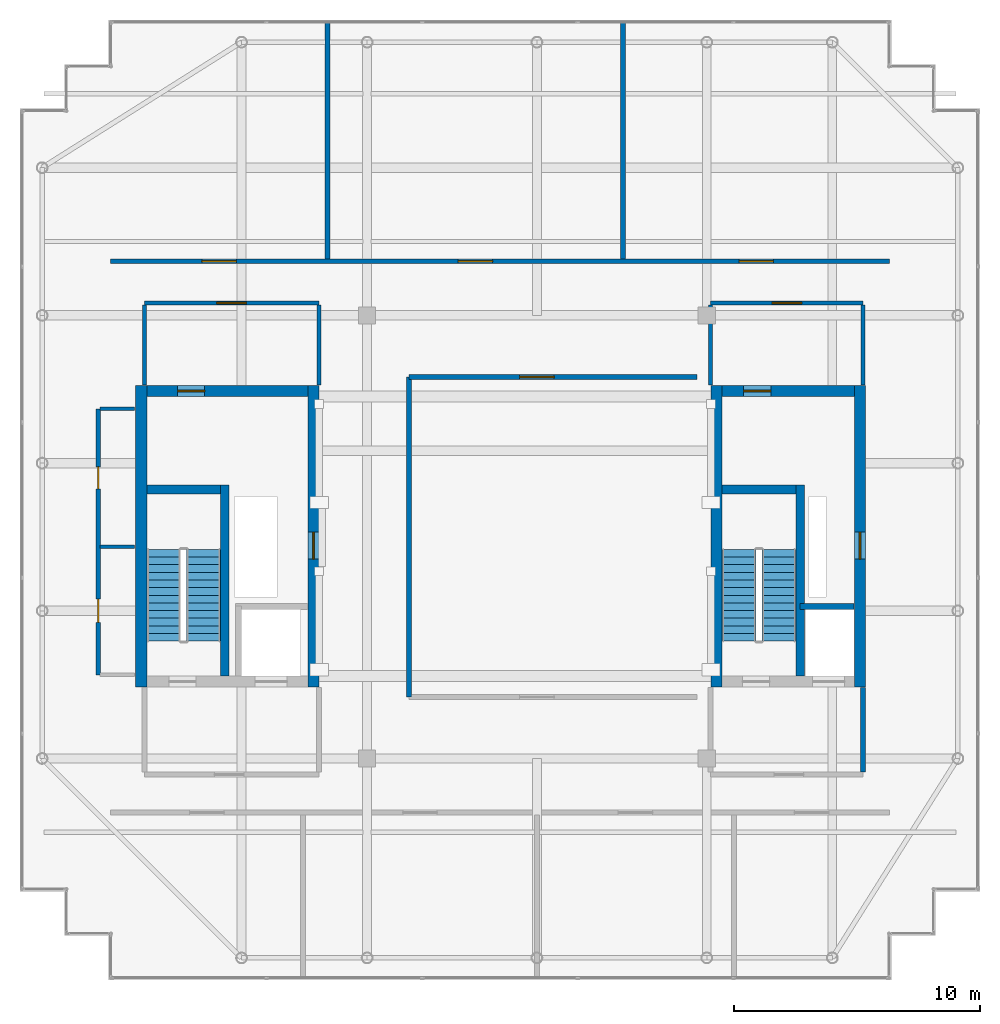
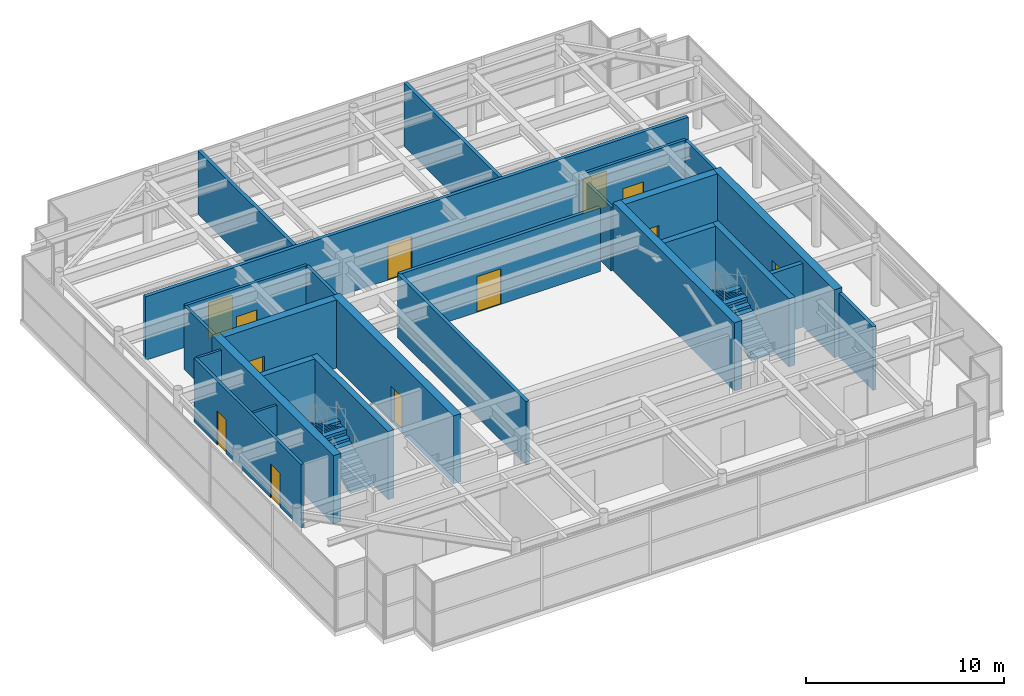
# One storey, part 31 of 32: 26 walls, 12 doors, 4 stair flights, 12 openings, 2 elements without a shape of their own.
"""IFC4 building model written with IfcOpenShell, lengths in metres."""

from ifc_helpers import new_model, si_unit, direction, frame, frame_2d, origin, place, context, subcontext, project, spatial, polyline, rectangle, outline, extrude, source, transform, mapped, material, layer, layer_set, type_object, element, fill, aggregate, save


model = new_model("IFC4")

# Units and contexts
model_context = context("Model", 3, precision=1e-05, world=origin(), true_north=direction((0.0, 1.0)))
body_context = subcontext(model_context, "Body", "Model", "MODEL_VIEW")
ifc_project = project(units=[si_unit("LENGTHUNIT", "METRE"), si_unit("AREAUNIT", "SQUARE_METRE"), si_unit("VOLUMEUNIT", "CUBIC_METRE"), si_unit("PLANEANGLEUNIT", "RADIAN"), si_unit("MASSUNIT", "GRAM", prefix="KILO")], contexts=[model_context])

# Site, building, storey
site_placement = place(None, origin())
site = spatial("IfcSite", under=ifc_project, at=site_placement, CompositionType="ELEMENT")
building_placement = place(site_placement, origin())
building = spatial("IfcBuilding", under=site, at=building_placement, Name="Khoralis Quay Care Tower", CompositionType="ELEMENT")
storey_placement = place(building_placement, frame((0.0, 0.0, 310.5)))
storey = spatial("IfcBuildingStorey", under=building, at=storey_placement, Name="L81", CompositionType="ELEMENT", Elevation=310.5)

# Wall
ifc_material_1 = material(Name="Gypsum plasterboard on acoustic metal stud")
ifc_layer_1 = layer(ifc_material_1, 0.199951171875)
ifc_layer_set_1 = layer_set([ifc_layer_1], Name="Gypsum plasterboard on acoustic metal stud")
wall_type_1 = type_object("IfcWallType", Name="WL-COMP-200", PredefinedType="PARTITIONING", material=ifc_layer_set_1)
wall_1_placement = place(storey_placement, frame((37.25, 11.445068359375, 0.0), z_axis=(0.0, 0.0, 1.0), x_axis=(0.0, 1.0, 0.0)))
element("IfcWall", 1, at=wall_1_placement, inside=storey, type_object=wall_type_1, Name="L81 East Firefighting Lobby East Wall", PredefinedType="PARTITIONING", context=body_context, shape_type="SweptSolid", body=[
    extrude(rectangle(XDim=3.434814453125, YDim=0.199951171875, at=frame_2d((1.71728515625, 0.0))), origin(), (0.0, 0.0, 1.0), 3.919921875),
])

# Wall, openings, doors
wall_2_placement = place(storey_placement, frame((6.679931640625, 32.199951171875, 0.0), z_axis=(0.0, 0.0, 1.0), x_axis=(1.0, 0.0, 0.0)))
wall_2 = element("IfcWall", 2, at=wall_2_placement, inside=storey, type_object=wall_type_1, Name="L81 Plant Corridor North Wall", PredefinedType="PARTITIONING", context=body_context, shape_type="SweptSolid", body=[
    extrude(rectangle(XDim=31.64013671875, YDim=0.199951171875, at=frame_2d((15.820068359375, 0.0))), origin(), (0.0, 0.0, 1.0), 3.919921875),
])
opening_1_placement = place(wall_2_placement, frame((3.7099609375, 0.0, 0.0)))
opening_1 = element("IfcOpeningElement", 3, at=opening_1_placement, cuts=wall_2, Name="Opening PD1", PredefinedType="OPENING", context=body_context, shape_type="SweptSolid", body=[
    extrude(rectangle(XDim=1.39990234375, YDim=2.199951171875, at=frame_2d((0.699951171875, 1.10009765625))), frame((0.0, 0.10986328125, 0.0), z_axis=(0.0, -1.0, 0.0), x_axis=(1.0, 0.0, 0.0)), (0.0, 0.0, 1.0), 0.219970703125),
])
opening_2_placement = place(wall_2_placement, frame((14.1201171875, 0.0, 0.0)))
opening_2 = element("IfcOpeningElement", 4, at=opening_2_placement, cuts=wall_2, Name="Opening PD1", PredefinedType="OPENING", context=body_context, shape_type="SweptSolid", body=[
    extrude(rectangle(XDim=1.39990234375, YDim=2.199951171875, at=frame_2d((0.699951171875, 1.10009765625))), frame((0.0, 0.10986328125, 0.0), z_axis=(0.0, -1.0, 0.0), x_axis=(1.0, 0.0, 0.0)), (0.0, 0.0, 1.0), 0.219970703125),
])
opening_3_placement = place(wall_2_placement, frame((25.530029296875, 0.0, 0.0)))
opening_3 = element("IfcOpeningElement", 5, at=opening_3_placement, cuts=wall_2, Name="Opening PD1", PredefinedType="OPENING", context=body_context, shape_type="SweptSolid", body=[
    extrude(rectangle(XDim=1.39990234375, YDim=2.199951171875, at=frame_2d((0.699951171875, 1.10009765625))), frame((0.0, 0.10986328125, 0.0), z_axis=(0.0, -1.0, 0.0), x_axis=(1.0, 0.0, 0.0)), (0.0, 0.0, 1.0), 0.219970703125),
])
ifc_material_2 = material(Name="Fire-rated painted steel", Category="steel")
door_type_1 = type_object("IfcDoorType", Name="DR-PLANT-1400X2200", OperationType="NOTDEFINED", PredefinedType="DOOR", material=ifc_material_2)
shared_shape_1 = source(origin(), body_context, "Body", "SweptSolid", [
    extrude(rectangle(XDim=1.39990234375, YDim=2.199951171875, at=frame_2d((0.699951171875, 1.10009765625))), frame((0.0, 0.02490234375, 0.0), z_axis=(0.0, -1.0, 0.0), x_axis=(1.0, 0.0, 0.0)), (0.0, 0.0, 1.0), 0.050048828125),
])
door_1_placement = place(opening_1_placement, origin())
door_1 = element("IfcDoor", 6, at=door_1_placement, inside=storey, type_object=door_type_1, Name="L81 Primary Air Handling Hall Plant Door", OperationType="DOUBLE_DOOR_SINGLE_SWING", OverallHeight=2.199951171875, OverallWidth=1.39990234375, PredefinedType="DOOR", context=body_context, shape_type="MappedRepresentation", body=[
    mapped(shared_shape_1, transform((0.0, 0.0, 0.0), scale=1.0)),
])
fill(opening_1, door_1)
door_2_placement = place(opening_2_placement, origin())
door_2 = element("IfcDoor", 7, at=door_2_placement, inside=storey, type_object=door_type_1, Name="L81 High-Voltage Transformer Room Plant Door", OperationType="DOUBLE_DOOR_SINGLE_SWING", OverallHeight=2.199951171875, OverallWidth=1.39990234375, PredefinedType="DOOR", context=body_context, shape_type="MappedRepresentation", body=[
    mapped(shared_shape_1, transform((0.0, 0.0, 0.0), scale=1.0)),
])
fill(opening_2, door_2)
door_3_placement = place(opening_3_placement, origin())
door_3 = element("IfcDoor", 8, at=door_3_placement, inside=storey, type_object=door_type_1, Name="L81 Solar Inverter Plant Plant Door", OperationType="DOUBLE_DOOR_SINGLE_SWING", OverallHeight=2.199951171875, OverallWidth=1.39990234375, PredefinedType="DOOR", context=body_context, shape_type="MappedRepresentation", body=[
    mapped(shared_shape_1, transform((0.0, 0.0, 0.0), scale=1.0)),
])
fill(opening_3, door_3)

# Wall, opening, door
wall_3_placement = place(storey_placement, frame((18.800048828125, 27.5, 0.0), z_axis=(0.0, 0.0, 1.0), x_axis=(1.0, 0.0, 0.0)))
wall_3 = element("IfcWall", 9, at=wall_3_placement, inside=storey, type_object=wall_type_1, Name="L81 Central Plant North Wall", PredefinedType="PARTITIONING", context=body_context, shape_type="SweptSolid", body=[
    extrude(rectangle(XDim=11.699951171875, YDim=0.199951171875, at=frame_2d((5.85009765625, 0.0))), origin(), (0.0, 0.0, 1.0), 3.919921875),
])
opening_4_placement = place(wall_3_placement, frame((4.5, 0.0, 0.0)))
opening_4 = element("IfcOpeningElement", 10, at=opening_4_placement, cuts=wall_3, Name="Opening PD1", PredefinedType="OPENING", context=body_context, shape_type="SweptSolid", body=[
    extrude(rectangle(XDim=1.39990234375, YDim=2.199951171875, at=frame_2d((0.699951171875, 1.10009765625))), frame((0.0, 0.10986328125, 0.0), z_axis=(0.0, -1.0, 0.0), x_axis=(1.0, 0.0, 0.0)), (0.0, 0.0, 1.0), 0.219970703125),
])
door_4_placement = place(opening_4_placement, frame((1.39990234375, 0.0, 0.0), z_axis=(0.0, 0.0, 1.0), x_axis=(-1.0, 0.0, 0.0)))
door_4 = element("IfcDoor", 11, at=door_4_placement, inside=storey, type_object=door_type_1, Name="L81 Central Plant North Door", OperationType="DOUBLE_DOOR_SINGLE_SWING", OverallHeight=2.199951171875, OverallWidth=1.39990234375, PredefinedType="DOOR", context=body_context, shape_type="MappedRepresentation", body=[
    mapped(shared_shape_1, transform((0.0, 0.0, 0.0), scale=1.0)),
])
fill(opening_4, door_4)

# Walls
for number, where, z_axis, x_axis, name in (
    (12, (15.5, 32.294921875, 0.0), (0.0, 0.0, 1.0), (0.0, 1.0, 0.0), "L81 North Plant Divider 1"),
    (13, (27.5, 32.294921875, 0.0), (0.0, 0.0, 1.0), (0.0, 1.0, 0.0), "L81 North Plant Divider 2"),
):
    element("IfcWall", number, at=place(storey_placement, frame(where, z_axis=z_axis, x_axis=x_axis)), inside=storey, type_object=wall_type_1, Name=name, PredefinedType="PARTITIONING", context=body_context, shape_type="SweptSolid", body=[
        extrude(rectangle(XDim=9.6201171875, YDim=0.199951171875, at=frame_2d((4.81005859375, 0.0))), origin(), (0.0, 0.0, 1.0), 3.919921875),
    ])
wall_4_placement = place(storey_placement, frame((18.800048828125, 14.5, 0.0), z_axis=(0.0, 0.0, 1.0), x_axis=(0.0, 1.0, 0.0)))
element("IfcWall", 14, at=wall_4_placement, inside=storey, type_object=wall_type_1, Name="L81 Central Plant West Corridor Wall", PredefinedType="PARTITIONING", context=body_context, shape_type="SweptSolid", body=[
    extrude(rectangle(XDim=13.0, YDim=0.199951171875, at=frame_2d((6.5, 0.0))), origin(), (0.0, 0.0, 1.0), 3.919921875),
])
ifc_material_3 = material(Name="Concrete C50/60", Category="concrete")
ifc_layer_2 = layer(ifc_material_3, 0.449951171875)
ifc_layer_set_2 = layer_set([ifc_layer_2], Name="Concrete C50/60")
wall_type_2 = type_object("IfcWallType", Name="WL-CORE-450", PredefinedType="SHEAR", material=ifc_layer_set_2)
wall_5_placement = place(storey_placement, frame((7.925048828125, 14.89990234375, 0.0), z_axis=(0.0, 0.0, 1.0), x_axis=(0.0, 1.0, 0.0)))
element("IfcWall", 15, at=wall_5_placement, inside=storey, type_object=wall_type_2, Name="L81 WCORE West Shear Wall", PredefinedType="SHEAR", context=body_context, shape_type="SweptSolid", body=[
    extrude(rectangle(XDim=12.25, YDim=0.449951171875, at=frame_2d((6.125, 0.0))), origin(), (0.0, 0.0, 1.0), 4.199951171875),
])

# Wall, opening, door
wall_6_placement = place(storey_placement, frame((14.925048828125, 14.89990234375, 0.0), z_axis=(0.0, 0.0, 1.0), x_axis=(0.0, 1.0, 0.0)))
wall_6 = element("IfcWall", 16, at=wall_6_placement, inside=storey, type_object=wall_type_2, Name="L81 WCORE East Shear Wall", PredefinedType="SHEAR", context=body_context, shape_type="SweptSolid", body=[
    extrude(rectangle(XDim=12.25, YDim=0.449951171875, at=frame_2d((6.125, 0.0))), origin(), (0.0, 0.0, 1.0), 4.199951171875),
])
opening_5_placement = place(wall_6_placement, frame((5.199951171875, 0.0, 0.0)))
opening_5 = element("IfcOpeningElement", 17, at=opening_5_placement, cuts=wall_6, Name="Opening SD1", PredefinedType="OPENING", context=body_context, shape_type="SweptSolid", body=[
    extrude(rectangle(XDim=1.10009765625, YDim=2.199951171875, at=frame_2d((0.550048828125, 1.10009765625))), frame((0.0, 0.23486328125, 0.0), z_axis=(0.0, -1.0, 0.0), x_axis=(1.0, 0.0, 0.0)), (0.0, 0.0, 1.0), 0.469970703125),
])
door_type_2 = type_object("IfcDoorType", Name="DR-STAIR-1100X2200", OperationType="NOTDEFINED", PredefinedType="DOOR", material=ifc_material_2)
shared_shape_2 = source(origin(), body_context, "Body", "SweptSolid", [
    extrude(rectangle(XDim=1.10009765625, YDim=2.199951171875, at=frame_2d((0.550048828125, 1.10009765625))), frame((0.0, 0.02490234375, 0.0), z_axis=(0.0, -1.0, 0.0), x_axis=(1.0, 0.0, 0.0)), (0.0, 0.0, 1.0), 0.050048828125),
])
door_5_placement = place(opening_5_placement, origin())
door_5 = element("IfcDoor", 18, at=door_5_placement, inside=storey, type_object=door_type_2, Name="L81 West MEP Riser Door", OperationType="SINGLE_SWING_LEFT", OverallHeight=2.199951171875, OverallWidth=1.10009765625, PredefinedType="DOOR", context=body_context, shape_type="MappedRepresentation", body=[
    mapped(shared_shape_2, transform((0.0, 0.0, 0.0), scale=1.0)),
])
fill(opening_5, door_5)

wall_7_placement = place(storey_placement, frame((8.14990234375, 26.925048828125, 0.0), z_axis=(0.0, 0.0, 1.0), x_axis=(1.0, 0.0, 0.0)))
wall_7 = element("IfcWall", 19, at=wall_7_placement, inside=storey, type_object=wall_type_2, Name="L81 WCORE North Shear Wall", PredefinedType="SHEAR", context=body_context, shape_type="SweptSolid", body=[
    extrude(rectangle(XDim=6.550048828125, YDim=0.449951171875, at=frame_2d((3.27490234375, 0.0))), origin(), (0.0, 0.0, 1.0), 4.199951171875),
])
opening_6_placement = place(wall_7_placement, frame((1.25, 0.0, 0.0)))
opening_6 = element("IfcOpeningElement", 20, at=opening_6_placement, cuts=wall_7, Name="Opening SD1", PredefinedType="OPENING", context=body_context, shape_type="SweptSolid", body=[
    extrude(rectangle(XDim=1.10009765625, YDim=2.199951171875, at=frame_2d((0.550048828125, 1.10009765625))), frame((0.0, 0.23486328125, 0.0), z_axis=(0.0, -1.0, 0.0), x_axis=(1.0, 0.0, 0.0)), (0.0, 0.0, 1.0), 0.469970703125),
])
door_6_placement = place(opening_6_placement, frame((1.10009765625, 0.0, 0.0), z_axis=(0.0, 0.0, 1.0), x_axis=(-1.0, 0.0, 0.0)))
door_6 = element("IfcDoor", 21, at=door_6_placement, inside=storey, type_object=door_type_2, Name="L81 West Machine Room Door", OperationType="SINGLE_SWING_LEFT", OverallHeight=2.199951171875, OverallWidth=1.10009765625, PredefinedType="DOOR", context=body_context, shape_type="MappedRepresentation", body=[
    mapped(shared_shape_2, transform((0.0, 0.0, 0.0), scale=1.0)),
])
fill(opening_6, door_6)

# Wall
wall_8_placement = place(storey_placement, frame((31.294921875, 14.89990234375, 0.0), z_axis=(0.0, 0.0, 1.0), x_axis=(0.0, 1.0, 0.0)))
element("IfcWall", 22, at=wall_8_placement, inside=storey, type_object=wall_type_2, Name="L81 ECORE West Shear Wall", PredefinedType="SHEAR", context=body_context, shape_type="SweptSolid", body=[
    extrude(rectangle(XDim=12.25, YDim=0.449951171875, at=frame_2d((6.125, 0.0))), origin(), (0.0, 0.0, 1.0), 4.199951171875),
])

# Wall, opening, door
wall_9_placement = place(storey_placement, frame((37.125, 14.89990234375, 0.0), z_axis=(0.0, 0.0, 1.0), x_axis=(0.0, 1.0, 0.0)))
wall_9 = element("IfcWall", 23, at=wall_9_placement, inside=storey, type_object=wall_type_2, Name="L81 ECORE East Shear Wall", PredefinedType="SHEAR", context=body_context, shape_type="SweptSolid", body=[
    extrude(rectangle(XDim=12.25, YDim=0.449951171875, at=frame_2d((6.125, 0.0))), origin(), (0.0, 0.0, 1.0), 4.199951171875),
])
opening_7_placement = place(wall_9_placement, frame((5.199951171875, 0.0, 0.0)))
opening_7 = element("IfcOpeningElement", 24, at=opening_7_placement, cuts=wall_9, Name="Opening SD1", PredefinedType="OPENING", context=body_context, shape_type="SweptSolid", body=[
    extrude(rectangle(XDim=1.10009765625, YDim=2.199951171875, at=frame_2d((0.550048828125, 1.10009765625))), frame((0.0, 0.23486328125, 0.0), z_axis=(0.0, -1.0, 0.0), x_axis=(1.0, 0.0, 0.0)), (0.0, 0.0, 1.0), 0.469970703125),
])
door_7_placement = place(opening_7_placement, frame((1.10009765625, 0.0, 0.0), z_axis=(0.0, 0.0, 1.0), x_axis=(-1.0, 0.0, 0.0)))
door_7 = element("IfcDoor", 25, at=door_7_placement, inside=storey, type_object=door_type_2, Name="L81 East MEP Riser Door", OperationType="SINGLE_SWING_RIGHT", OverallHeight=2.199951171875, OverallWidth=1.10009765625, PredefinedType="DOOR", context=body_context, shape_type="MappedRepresentation", body=[
    mapped(shared_shape_2, transform((0.0, 0.0, 0.0), scale=1.0)),
])
fill(opening_7, door_7)

wall_10_placement = place(storey_placement, frame((31.52001953125, 26.925048828125, 0.0), z_axis=(0.0, 0.0, 1.0), x_axis=(1.0, 0.0, 0.0)))
wall_10 = element("IfcWall", 26, at=wall_10_placement, inside=storey, type_object=wall_type_2, Name="L81 ECORE North Shear Wall", PredefinedType="SHEAR", context=body_context, shape_type="SweptSolid", body=[
    extrude(rectangle(XDim=5.3798828125, YDim=0.449951171875, at=frame_2d((2.68994140625, 0.0))), origin(), (0.0, 0.0, 1.0), 4.199951171875),
])
opening_8_placement = place(wall_10_placement, frame((0.8798828125, 0.0, 0.0)))
opening_8 = element("IfcOpeningElement", 27, at=opening_8_placement, cuts=wall_10, Name="Opening SD1", PredefinedType="OPENING", context=body_context, shape_type="SweptSolid", body=[
    extrude(rectangle(XDim=1.10009765625, YDim=2.199951171875, at=frame_2d((0.550048828125, 1.10009765625))), frame((0.0, 0.23486328125, 0.0), z_axis=(0.0, -1.0, 0.0), x_axis=(1.0, 0.0, 0.0)), (0.0, 0.0, 1.0), 0.469970703125),
])
door_8_placement = place(opening_8_placement, frame((1.10009765625, 0.0, 0.0), z_axis=(0.0, 0.0, 1.0), x_axis=(-1.0, 0.0, 0.0)))
door_8 = element("IfcDoor", 28, at=door_8_placement, inside=storey, type_object=door_type_2, Name="L81 East Machine Room Door", OperationType="SINGLE_SWING_RIGHT", OverallHeight=2.199951171875, OverallWidth=1.10009765625, PredefinedType="DOOR", context=body_context, shape_type="MappedRepresentation", body=[
    mapped(shared_shape_2, transform((0.0, 0.0, 0.0), scale=1.0)),
])
fill(opening_8, door_8)

ifc_layer_3 = layer(ifc_material_1, 0.1650390625)
ifc_layer_set_3 = layer_set([ifc_layer_3], Name="Gypsum plasterboard on acoustic metal stud")
wall_type_3 = type_object("IfcWallType", Name="WL-CORR-165", PredefinedType="PARTITIONING", material=ifc_layer_set_3)
wall_11_placement = place(storey_placement, frame((8.050048828125, 30.5, 0.0), z_axis=(0.0, 0.0, 1.0), x_axis=(1.0, 0.0, 0.0)))
wall_11 = element("IfcWall", 29, at=wall_11_placement, inside=storey, type_object=wall_type_3, Name="L81 West Lift Lobby North Wall", PredefinedType="PARTITIONING", context=body_context, shape_type="SweptSolid", body=[
    extrude(rectangle(XDim=7.099853515625, YDim=0.1650390625, at=frame_2d((3.5498046875, 0.0))), origin(), (0.0, 0.0, 1.0), 3.919921875),
])
opening_9_placement = place(wall_11_placement, frame((2.949951171875, 0.0, 0.0)))
opening_9 = element("IfcOpeningElement", 30, at=opening_9_placement, cuts=wall_11, Name="Opening FD1", PredefinedType="OPENING", context=body_context, shape_type="SweptSolid", body=[
    extrude(rectangle(XDim=1.199951171875, YDim=2.199951171875, at=frame_2d((0.60009765625, 1.10009765625))), frame((0.0, 0.092529296875, 0.0), z_axis=(0.0, -1.0, 0.0), x_axis=(1.0, 0.0, 0.0)), (0.0, 0.0, 1.0), 0.18505859375),
])
door_type_3 = type_object("IfcDoorType", Name="DR-FFL-1200X2200", OperationType="NOTDEFINED", PredefinedType="DOOR", material=ifc_material_2)
shared_shape_3 = source(origin(), body_context, "Body", "SweptSolid", [
    extrude(rectangle(XDim=1.199951171875, YDim=2.199951171875, at=frame_2d((0.60009765625, 1.10009765625))), frame((0.0, 0.02490234375, 0.0), z_axis=(0.0, -1.0, 0.0), x_axis=(1.0, 0.0, 0.0)), (0.0, 0.0, 1.0), 0.050048828125),
])
door_9_placement = place(opening_9_placement, origin())
door_9 = element("IfcDoor", 31, at=door_9_placement, inside=storey, type_object=door_type_3, Name="L81 West Lift Lobby Double Door", OperationType="DOUBLE_DOOR_SINGLE_SWING", OverallHeight=2.199951171875, OverallWidth=1.199951171875, PredefinedType="DOOR", context=body_context, shape_type="MappedRepresentation", body=[
    mapped(shared_shape_3, transform((0.0, 0.0, 0.0), scale=1.0)),
])
fill(opening_9, door_9)

# Walls
for number, where, z_axis, x_axis, name in (
    (32, (8.050048828125, 27.169921875, 0.0), (0.0, 0.0, 1.0), (0.0, 1.0, 0.0), "L81 West Lift Lobby West Wall"),
    (33, (15.14990234375, 27.169921875, 0.0), (0.0, 0.0, 1.0), (0.0, 1.0, 0.0), "L81 West Lift Lobby East Wall"),
):
    element("IfcWall", number, at=place(storey_placement, frame(where, z_axis=z_axis, x_axis=x_axis)), inside=storey, type_object=wall_type_3, Name=name, PredefinedType="PARTITIONING", context=body_context, shape_type="SweptSolid", body=[
        extrude(rectangle(XDim=3.252685546875, YDim=0.1650390625, at=frame_2d((1.62646484375, 0.0))), origin(), (0.0, 0.0, 1.0), 3.919921875),
    ])

# Wall, opening, door
wall_12_placement = place(storey_placement, frame((31.050048828125, 30.5, 0.0), z_axis=(0.0, 0.0, 1.0), x_axis=(1.0, 0.0, 0.0)))
wall_12 = element("IfcWall", 34, at=wall_12_placement, inside=storey, type_object=wall_type_3, Name="L81 East Lift Lobby North Wall", PredefinedType="PARTITIONING", context=body_context, shape_type="SweptSolid", body=[
    extrude(rectangle(XDim=6.199951171875, YDim=0.1650390625, at=frame_2d((3.10009765625, 0.0))), origin(), (0.0, 0.0, 1.0), 3.919921875),
])
opening_10_placement = place(wall_12_placement, frame((2.5, 0.0, 0.0)))
opening_10 = element("IfcOpeningElement", 35, at=opening_10_placement, cuts=wall_12, Name="Opening FD1", PredefinedType="OPENING", context=body_context, shape_type="SweptSolid", body=[
    extrude(rectangle(XDim=1.199951171875, YDim=2.199951171875, at=frame_2d((0.60009765625, 1.10009765625))), frame((0.0, 0.092529296875, 0.0), z_axis=(0.0, -1.0, 0.0), x_axis=(1.0, 0.0, 0.0)), (0.0, 0.0, 1.0), 0.18505859375),
])
door_10_placement = place(opening_10_placement, origin())
door_10 = element("IfcDoor", 36, at=door_10_placement, inside=storey, type_object=door_type_3, Name="L81 East Lift Lobby Double Door", OperationType="DOUBLE_DOOR_SINGLE_SWING", OverallHeight=2.199951171875, OverallWidth=1.199951171875, PredefinedType="DOOR", context=body_context, shape_type="MappedRepresentation", body=[
    mapped(shared_shape_3, transform((0.0, 0.0, 0.0), scale=1.0)),
])
fill(opening_10, door_10)

# Walls
for number, where, z_axis, x_axis, name in (
    (37, (31.050048828125, 27.169921875, 0.0), (0.0, 0.0, 1.0), (0.0, 1.0, 0.0), "L81 East Lift Lobby West Wall"),
    (38, (37.25, 27.169921875, 0.0), (0.0, 0.0, 1.0), (0.0, 1.0, 0.0), "L81 East Lift Lobby East Wall"),
):
    element("IfcWall", number, at=place(storey_placement, frame(where, z_axis=z_axis, x_axis=x_axis)), inside=storey, type_object=wall_type_3, Name=name, PredefinedType="PARTITIONING", context=body_context, shape_type="SweptSolid", body=[
        extrude(rectangle(XDim=3.252685546875, YDim=0.1650390625, at=frame_2d((1.62646484375, 0.0))), origin(), (0.0, 0.0, 1.0), 3.919921875),
    ])

# Wall, openings, doors
wall_13_placement = place(storey_placement, frame((6.179931640625, 15.39990234375, 0.0), z_axis=(0.0, 0.0, 1.0), x_axis=(0.0, 1.0, 0.0)))
wall_13 = element("IfcWall", 39, at=wall_13_placement, inside=storey, type_object=wall_type_3, Name="L81 West Core Service Flank Wall", PredefinedType="PARTITIONING", context=body_context, shape_type="SweptSolid", body=[
    extrude(rectangle(XDim=10.800048828125, YDim=0.1650390625, at=frame_2d((5.39990234375, 0.0))), origin(), (0.0, 0.0, 1.0), 3.919921875),
])
opening_11_placement = place(wall_13_placement, frame((2.125, 0.0, 0.0)))
opening_11 = element("IfcOpeningElement", 40, at=opening_11_placement, cuts=wall_13, Name="Opening ID1", PredefinedType="OPENING", context=body_context, shape_type="SweptSolid", body=[
    extrude(rectangle(XDim=0.949951171875, YDim=2.10009765625, at=frame_2d((0.47509765625, 1.050048828125))), frame((0.0, 0.092529296875, 0.0), z_axis=(0.0, -1.0, 0.0), x_axis=(1.0, 0.0, 0.0)), (0.0, 0.0, 1.0), 0.18505859375),
])
opening_12_placement = place(wall_13_placement, frame((7.550048828125, 0.0, 0.0)))
opening_12 = element("IfcOpeningElement", 41, at=opening_12_placement, cuts=wall_13, Name="Opening WD1", PredefinedType="OPENING", context=body_context, shape_type="SweptSolid", body=[
    extrude(rectangle(XDim=0.89990234375, YDim=2.10009765625, at=frame_2d((0.449951171875, 1.050048828125))), frame((0.0, 0.092529296875, 0.0), z_axis=(0.0, -1.0, 0.0), x_axis=(1.0, 0.0, 0.0)), (0.0, 0.0, 1.0), 0.18505859375),
])
ifc_material_4 = material(Name="Acoustic hardwood timber", Category="wood")
door_type_4 = type_object("IfcDoorType", Name="DR-BATH-900X2100", OperationType="NOTDEFINED", PredefinedType="DOOR", material=ifc_material_4)
shared_shape_4 = source(origin(), body_context, "Body", "SweptSolid", [
    extrude(rectangle(XDim=0.89990234375, YDim=2.10009765625, at=frame_2d((0.449951171875, 1.050048828125))), frame((0.0, 0.02490234375, 0.0), z_axis=(0.0, -1.0, 0.0), x_axis=(1.0, 0.0, 0.0)), (0.0, 0.0, 1.0), 0.050048828125),
])
door_11_placement = place(opening_12_placement, frame((0.89990234375, 0.0, 0.0), z_axis=(0.0, 0.0, 1.0), x_axis=(-1.0, 0.0, 0.0)))
door_11 = element("IfcDoor", 42, at=door_11_placement, inside=storey, type_object=door_type_4, Name="L81 Public Accessible WC Door", OperationType="SINGLE_SWING_LEFT", OverallHeight=2.10009765625, OverallWidth=0.89990234375, PredefinedType="DOOR", context=body_context, shape_type="MappedRepresentation", body=[
    mapped(shared_shape_4, transform((0.0, 0.0, 0.0), scale=1.0)),
])
fill(opening_12, door_11)
door_type_5 = type_object("IfcDoorType", Name="DR-ROOM-950X2100", OperationType="NOTDEFINED", PredefinedType="DOOR", material=ifc_material_4)
shared_shape_5 = source(origin(), body_context, "Body", "SweptSolid", [
    extrude(rectangle(XDim=0.949951171875, YDim=2.10009765625, at=frame_2d((0.47509765625, 1.050048828125))), frame((0.0, 0.02490234375, 0.0), z_axis=(0.0, -1.0, 0.0), x_axis=(1.0, 0.0, 0.0)), (0.0, 0.0, 1.0), 0.050048828125),
])
door_12_placement = place(opening_11_placement, frame((0.949951171875, 0.0, 0.0), z_axis=(0.0, 0.0, 1.0), x_axis=(-1.0, 0.0, 0.0)))
door_12 = element("IfcDoor", 43, at=door_12_placement, inside=storey, type_object=door_type_5, Name="L81 Housekeeping Linen Store Door", OperationType="SINGLE_SWING_RIGHT", OverallHeight=2.10009765625, OverallWidth=0.949951171875, PredefinedType="DOOR", context=body_context, shape_type="MappedRepresentation", body=[
    mapped(shared_shape_5, transform((0.0, 0.0, 0.0), scale=1.0)),
])
fill(opening_11, door_12)

# Walls
ifc_material_5 = material(Name="Moisture-resistant gypsum and ceramic tile")
ifc_layer_4 = layer(ifc_material_5, 0.280029296875)
ifc_layer_set_4 = layer_set([ifc_layer_4], Name="Moisture-resistant gypsum and ceramic tile")
wall_type_4 = type_object("IfcWallType", Name="WL-PLUMB-280", PredefinedType="PLUMBINGWALL", material=ifc_layer_set_4)
wall_14_placement = place(storey_placement, frame((6.257568359375, 20.60009765625, 0.0), z_axis=(0.0, 0.0, 1.0), x_axis=(1.0, 0.0, 0.0)))
element("IfcWall", 44, at=wall_14_placement, inside=storey, type_object=wall_type_4, Name="L81 West Flank Divider 1", PredefinedType="PLUMBINGWALL", context=body_context, shape_type="SweptSolid", body=[
    extrude(rectangle(XDim=1.40234375, YDim=0.139892578125, at=frame_2d((0.701171875, 0.0))), origin(), (0.0, 0.0, 1.0), 3.919921875),
])
ifc_material_6 = material(Name="Concrete C40/50", Category="concrete")
ifc_layer_5 = layer(ifc_material_6, 0.35009765625)
ifc_layer_set_5 = layer_set([ifc_layer_5], Name="Concrete C40/50")
wall_type_5 = type_object("IfcWallType", Name="WL-SC-CORE-350", PredefinedType="SHEAR", material=ifc_layer_set_5)
wall_15_placement = place(storey_placement, frame((11.324951171875, 15.35009765625, 0.0), z_axis=(0.0, 0.0, 1.0), x_axis=(0.0, 1.0, 0.0)))
element("IfcWall", 45, at=wall_15_placement, inside=storey, type_object=wall_type_5, Name="L81 Stair ST-T1 Shear Baffle Wall East", PredefinedType="SHEAR", context=body_context, shape_type="SweptSolid", body=[
    extrude(rectangle(XDim=7.75, YDim=0.35009765625, at=frame_2d((3.875, 0.0))), origin(), (0.0, 0.0, 1.0), 4.199951171875),
])
wall_16_placement = place(storey_placement, frame((8.14990234375, 22.925048828125, 0.0), z_axis=(0.0, 0.0, 1.0), x_axis=(1.0, 0.0, 0.0)))
element("IfcWall", 46, at=wall_16_placement, inside=storey, type_object=wall_type_5, Name="L81 Stair ST-T1 Shear Baffle Wall North", PredefinedType="SHEAR", context=body_context, shape_type="SweptSolid", body=[
    extrude(rectangle(XDim=3.0, YDim=0.35009765625, at=frame_2d((1.5, 0.0))), origin(), (0.0, 0.0, 1.0), 4.199951171875),
])
wall_17_placement = place(storey_placement, frame((34.695068359375, 15.35009765625, 0.0), z_axis=(0.0, 0.0, 1.0), x_axis=(0.0, 1.0, 0.0)))
element("IfcWall", 47, at=wall_17_placement, inside=storey, type_object=wall_type_5, Name="L81 Stair ST-T2 Shear Baffle Wall East", PredefinedType="SHEAR", context=body_context, shape_type="SweptSolid", body=[
    extrude(rectangle(XDim=7.75, YDim=0.35009765625, at=frame_2d((3.875, 0.0))), origin(), (0.0, 0.0, 1.0), 4.199951171875),
])
wall_18_placement = place(storey_placement, frame((31.52001953125, 22.925048828125, 0.0), z_axis=(0.0, 0.0, 1.0), x_axis=(1.0, 0.0, 0.0)))
element("IfcWall", 48, at=wall_18_placement, inside=storey, type_object=wall_type_5, Name="L81 Stair ST-T2 Shear Baffle Wall North", PredefinedType="SHEAR", context=body_context, shape_type="SweptSolid", body=[
    extrude(rectangle(XDim=3.0, YDim=0.35009765625, at=frame_2d((1.5, 0.0))), origin(), (0.0, 0.0, 1.0), 4.199951171875),
])
ifc_layer_6 = layer(ifc_material_1, 0.239990234375)
ifc_layer_set_6 = layer_set([ifc_layer_6], Name="Gypsum plasterboard on acoustic metal stud")
wall_type_6 = type_object("IfcWallType", Name="WL-SHAFT-240", PredefinedType="PARTITIONING", material=ifc_layer_set_6)
wall_19_placement = place(storey_placement, frame((34.679931640625, 18.169921875, 0.0), z_axis=(0.0, 0.0, 1.0), x_axis=(1.0, 0.0, 0.0)))
element("IfcWall", 49, at=wall_19_placement, inside=storey, type_object=wall_type_6, Name="L81 FFL-2 Shaft Wall North", PredefinedType="PARTITIONING", context=body_context, shape_type="SweptSolid", body=[
    extrude(rectangle(XDim=2.199951171875, YDim=0.239990234375, at=frame_2d((1.10009765625, 0.0))), origin(), (0.0, 0.0, 1.0), 3.919921875),
])
ifc_layer_7 = layer(ifc_material_1, 0.139892578125)
ifc_layer_set_7 = layer_set([ifc_layer_7], Name="Gypsum plasterboard on acoustic metal stud")
wall_type_7 = type_object("IfcWallType", Name="WL-UNIT-140", PredefinedType="PARTITIONING", material=ifc_layer_set_7)
wall_20_placement = place(storey_placement, frame((6.257568359375, 26.199951171875, 0.0), z_axis=(0.0, 0.0, 1.0), x_axis=(1.0, 0.0, 0.0)))
element("IfcWall", 50, at=wall_20_placement, inside=storey, type_object=wall_type_7, Name="L81 West Flank North Cap", PredefinedType="PARTITIONING", context=body_context, shape_type="SweptSolid", body=[
    extrude(rectangle(XDim=1.40234375, YDim=0.139892578125, at=frame_2d((0.701171875, 0.0))), origin(), (0.0, 0.0, 1.0), 3.919921875),
])

# Stair, stair flights
ifc_material_7 = material(Name="Precast concrete C45/55", Category="concrete")
stair_type = type_object("IfcStairType", Name="ST-TWR-DOGLEG-1400", PredefinedType="HALF_TURN_STAIR", material=ifc_material_7)
stair_1_placement = place(storey_placement, origin())
stair_1 = element("IfcStair", 51, at=stair_1_placement, inside=storey, type_object=stair_type, Name="L81 West Core Exit Stair ST-T1", PredefinedType="HALF_TURN_STAIR")
stair_flight_type = type_object("IfcStairFlightType", Name="SF-TWR-1400", PredefinedType="STRAIGHT", material=ifc_material_7)
shared_shape_6 = source(origin(), body_context, "Body", "SweptSolid", [
    extrude(outline(polyline([(0.0, 0.0), (0.0, 0.16162109375), (0.31005859375, 0.16162109375), (0.31005859375, 0.322998046875), (0.6201171875, 0.322998046875), (0.6201171875, 0.484619140625), (0.929931640625, 0.484619140625), (0.929931640625, 0.646240234375), (1.239990234375, 0.646240234375), (1.239990234375, 0.8076171875), (1.550048828125, 0.8076171875), (1.550048828125, 0.96923828125), (1.860107421875, 0.96923828125), (1.860107421875, 1.130859375), (2.169921875, 1.130859375), (2.169921875, 1.292236328125), (2.47998046875, 1.292236328125), (2.47998046875, 1.453857421875), (2.7900390625, 1.453857421875), (2.7900390625, 1.615478515625), (3.10009765625, 1.615478515625), (3.10009765625, 1.77685546875), (3.409912109375, 1.77685546875), (3.409912109375, 1.9384765625), (3.719970703125, 1.9384765625), (3.719970703125, 2.10009765625), (3.719970703125, 1.76953125), (0.324462890625, 0.0), (0.0, 0.0)])), frame((0.0, 0.68994140625, 0.0), z_axis=(0.0, -1.0, 0.0), x_axis=(1.0, 0.0, 0.0)), (0.0, 0.0, 1.0), 1.3798828125),
])
stair_flight_1_placement = place(storey_placement, frame((10.4599609375, 16.77001953125, 0.0), z_axis=(0.0, 0.0, 1.0), x_axis=(0.0, 1.0, 0.0)))
stair_flight_1 = element("IfcStairFlight", 52, at=stair_flight_1_placement, type_object=stair_flight_type, Name="ST-T1 flight 1", NumberOfRisers=13, NumberOfTreads=12, PredefinedType="STRAIGHT", RiserHeight=0.161538462, TreadLength=0.31, context=body_context, shape_type="MappedRepresentation", body=[
    mapped(shared_shape_6, transform((0.0, 0.0, 0.0), scale=1.0)),
])
stair_flight_2_placement = place(storey_placement, frame((8.840087890625, 20.489990234375, 2.10009765625), z_axis=(0.0, 0.0, 1.0), x_axis=(0.0, -1.0, 0.0)))
stair_flight_2 = element("IfcStairFlight", 53, at=stair_flight_2_placement, type_object=stair_flight_type, Name="ST-T1 flight 2", NumberOfRisers=13, NumberOfTreads=12, PredefinedType="STRAIGHT", RiserHeight=0.161538462, TreadLength=0.31, context=body_context, shape_type="MappedRepresentation", body=[
    mapped(shared_shape_6, transform((0.0, 0.0, 0.0), scale=1.0)),
])
aggregate(stair_1, [stair_flight_1, stair_flight_2])

stair_2_placement = place(storey_placement, origin())
stair_2 = element("IfcStair", 54, at=stair_2_placement, inside=storey, type_object=stair_type, Name="L81 East Core Exit Stair ST-T2", PredefinedType="HALF_TURN_STAIR")
stair_flight_3_placement = place(storey_placement, frame((33.830078125, 16.77001953125, 0.0), z_axis=(0.0, 0.0, 1.0), x_axis=(0.0, 1.0, 0.0)))
stair_flight_3 = element("IfcStairFlight", 55, at=stair_flight_3_placement, type_object=stair_flight_type, Name="ST-T2 flight 1", NumberOfRisers=13, NumberOfTreads=12, PredefinedType="STRAIGHT", RiserHeight=0.161538462, TreadLength=0.31, context=body_context, shape_type="MappedRepresentation", body=[
    mapped(shared_shape_6, transform((0.0, 0.0, 0.0), scale=1.0)),
])
stair_flight_4_placement = place(storey_placement, frame((32.2099609375, 20.489990234375, 2.10009765625), z_axis=(0.0, 0.0, 1.0), x_axis=(0.0, -1.0, 0.0)))
stair_flight_4 = element("IfcStairFlight", 56, at=stair_flight_4_placement, type_object=stair_flight_type, Name="ST-T2 flight 2", NumberOfRisers=13, NumberOfTreads=12, PredefinedType="STRAIGHT", RiserHeight=0.161538462, TreadLength=0.31, context=body_context, shape_type="MappedRepresentation", body=[
    mapped(shared_shape_6, transform((0.0, 0.0, 0.0), scale=1.0)),
])
aggregate(stair_2, [stair_flight_3, stair_flight_4])

save(model, "model.ifc")
